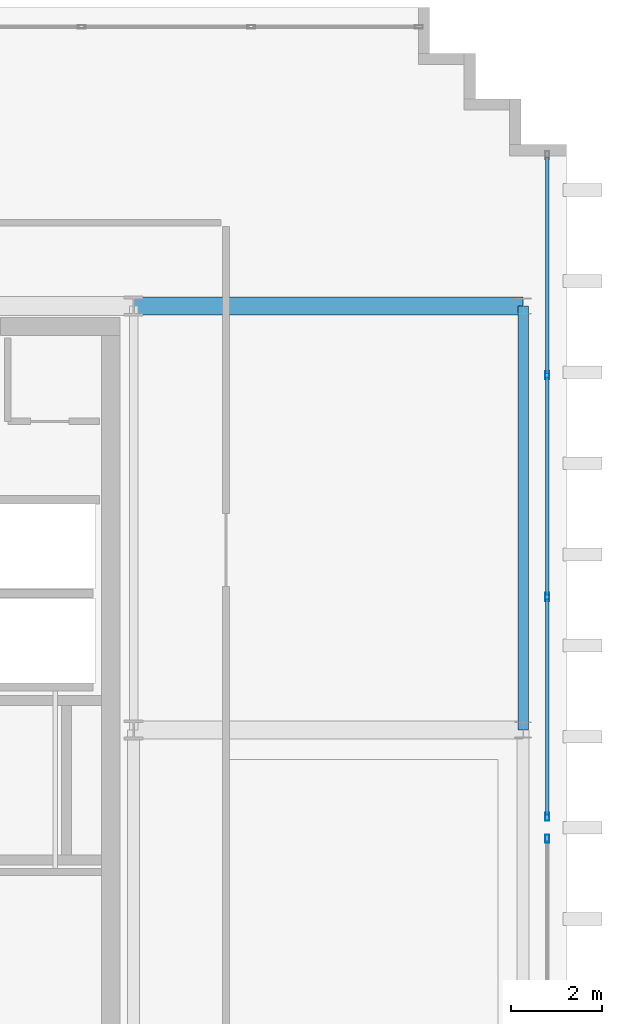
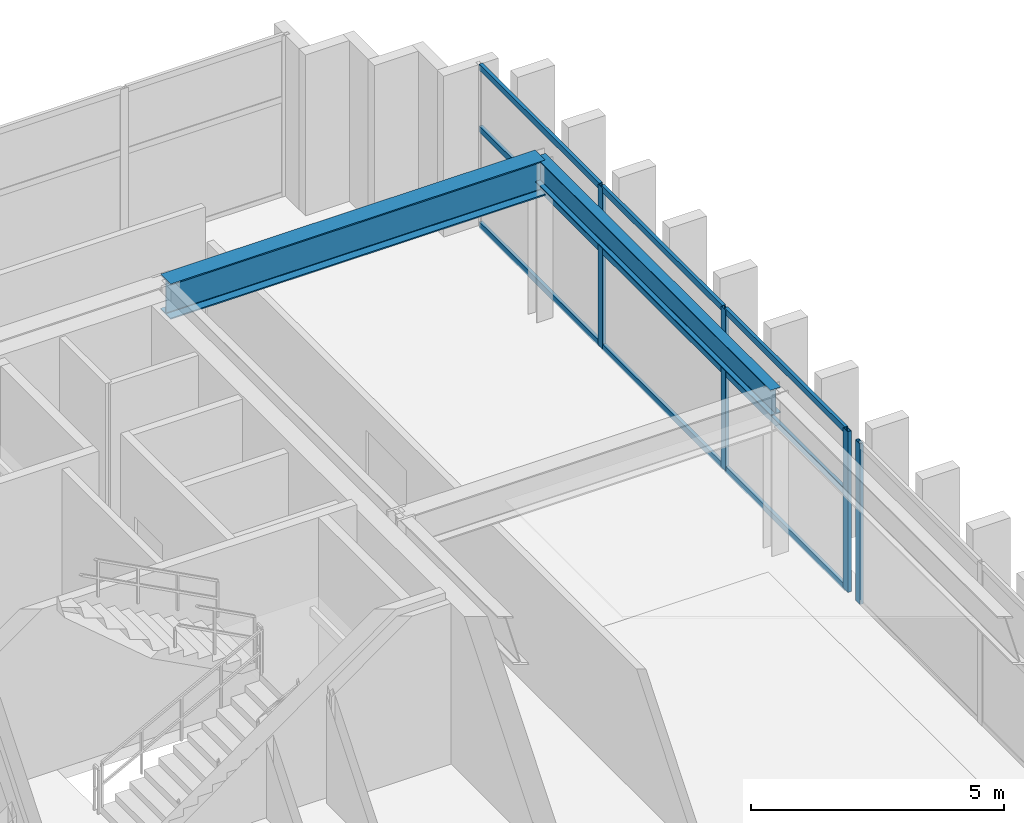
# One storey, part 7 of 15: 13 members, 2 beams, 2 elements without a shape of their own.
"""IFC4 building model written with IfcOpenShell, lengths in metres."""

from ifc_helpers import new_model, si_unit, direction, frame, origin, origin_2d, place, context, subcontext, project, spatial, hollow_rectangle, i_section, extrude, source, transform, mapped, material, layer, layer_set, material_profile, profile_set, type_object, element, aggregate, save


model = new_model("IFC4")

# Units and contexts
model_context = context("Model", 3, precision=1e-05, world=origin(), true_north=direction((0.0, 1.0)))
body_context = subcontext(model_context, "Body", "Model", "MODEL_VIEW")
ifc_project = project(units=[si_unit("LENGTHUNIT", "METRE"), si_unit("AREAUNIT", "SQUARE_METRE"), si_unit("VOLUMEUNIT", "CUBIC_METRE"), si_unit("PLANEANGLEUNIT", "RADIAN"), si_unit("MASSUNIT", "GRAM", prefix="KILO")], contexts=[model_context])

# Site, building, storey
site_placement = place(None, origin())
site = spatial("IfcSite", under=ifc_project, at=site_placement, CompositionType="ELEMENT")
building_placement = place(site_placement, origin())
building = spatial("IfcBuilding", under=site, at=building_placement, Name="Ocotamira Hotel", CompositionType="ELEMENT")
storey_placement = place(building_placement, frame((0.0, 0.0, 305.39990234375)))
storey = spatial("IfcBuildingStorey", under=building, at=storey_placement, Name="L78", CompositionType="ELEMENT", Elevation=305.39990234375)

# Beams
ifc_material_1 = material(Name="Steel ASTM A992 Grade 50", Category="steel")
ifc_material_profile_1 = material_profile(ifc_material_1, i_section(OverallWidth=0.22998046875, OverallDepth=0.616943359375, WebThickness=0.01318359375, FlangeThickness=0.022216796875, FilletRadius=0.012939453125, at=origin_2d()), Name="W24X94")
ifc_profile_set_1 = profile_set([ifc_material_profile_1], Name="Steel ASTM A992 Grade 50")
beam_type_1 = type_object("IfcBeamType", Name="BM-PRIM-W24X94", PredefinedType="BEAM", material=ifc_profile_set_1)
shared_shape_1 = source(origin(), body_context, "Body", "SweptSolid", [
    extrude(i_section(OverallWidth=0.22998046875, OverallDepth=0.616943359375, WebThickness=0.01318359375, FlangeThickness=0.022216796875, FilletRadius=0.012939453125, at=origin_2d()), origin(), (0.0, 0.0, 1.0), 9.300048828125),
])
beam_1_placement = place(storey_placement, frame((32.050048828125, 28.14990234375, 3.571533203125), z_axis=(0.0, 1.0, 0.0), x_axis=(-1.0, 0.0, 0.0)))
element("IfcBeam", 1, at=beam_1_placement, inside=storey, type_object=beam_type_1, Name="L78 Beam X32.05 Y28.15-37.45", PredefinedType="BEAM", context=body_context, shape_type="MappedRepresentation", body=[
    mapped(shared_shape_1, transform((0.0, 0.0, 0.0), scale=1.0)),
])
ifc_material_profile_2 = material_profile(ifc_material_1, i_section(OverallWidth=0.39990234375, OverallDepth=0.85595703125, WebThickness=0.018310546875, FlangeThickness=0.029296875, FilletRadius=0.02001953125, at=origin_2d()), Name="W33X201")
ifc_profile_set_2 = profile_set([ifc_material_profile_2], Name="Steel ASTM A992 Grade 50")
beam_type_2 = type_object("IfcBeamType", Name="BM-GIRD-W33X201", PredefinedType="BEAM", material=ifc_profile_set_2)
shared_shape_2 = source(origin(), body_context, "Body", "SweptSolid", [
    extrude(i_section(OverallWidth=0.39990234375, OverallDepth=0.85595703125, WebThickness=0.018310546875, FlangeThickness=0.029296875, FilletRadius=0.02001953125, at=origin_2d()), origin(), (0.0, 0.0, 1.0), 8.550048828125),
])
beam_2_placement = place(storey_placement, frame((23.5, 37.449951171875, 3.4521484375), z_axis=(1.0, 0.0, 0.0), x_axis=(0.0, 1.0, 0.0)))
element("IfcBeam", 2, at=beam_2_placement, inside=storey, type_object=beam_type_2, Name="L78 Girder Y37.45 X23.5-32.05", PredefinedType="BEAM", context=body_context, shape_type="MappedRepresentation", body=[
    mapped(shared_shape_2, transform((0.0, 0.0, 0.0), scale=1.0)),
])

# Curtain wall, members
ifc_material_2 = material(Name="Anodised pale-metal aluminium and solar glass", Category="aluminium")
ifc_layer = layer(ifc_material_2, 0.2099609375)
ifc_layer_set = layer_set([ifc_layer], Name="Anodised pale-metal aluminium and solar glass")
curtain_wall_type = type_object("IfcCurtainWallType", Name="CW-SYS7-PEAK", PredefinedType="NOTDEFINED", material=ifc_layer_set)
curtain_wall_1_placement = place(storey_placement, origin())
curtain_wall_1 = element("IfcCurtainWall", 3, at=curtain_wall_1_placement, inside=storey, type_object=curtain_wall_type, Name="L78 Curtain Wall CW-7 CW-L78-E2", PredefinedType="NOTDEFINED")
ifc_material_3 = material(Name="Anodised pale-metal aluminium 6063-T6", Category="aluminium")
ifc_material_profile_3 = material_profile(ifc_material_3, hollow_rectangle(XDim=0.074951171875, YDim=0.14990234375, WallThickness=0.006103515625, at=origin_2d()), Name="HSS150X75X6")
ifc_profile_set_3 = profile_set([ifc_material_profile_3], Name="Anodised pale-metal aluminium 6063-T6")
member_type_1 = type_object("IfcMemberType", Name="CWT-150X75", PredefinedType="USERDEFINED", material=ifc_profile_set_3)
shared_shape_3 = source(origin(), body_context, "Body", "SweptSolid", [
    extrude(hollow_rectangle(XDim=0.074951171875, YDim=0.14990234375, WallThickness=0.006103515625, at=origin_2d()), origin(), (0.0, 0.0, 1.0), 4.74658203125),
])
member_1_placement = place(storey_placement, frame((32.580078125, 26.280029296875, 0.03759765625), z_axis=(0.0, 1.0, 0.0), x_axis=(-1.0, 0.0, 0.0)))
member_1 = element("IfcMember", 4, at=member_1_placement, type_object=member_type_1, Name="CW-7 transom 1.1", ObjectType="TRANSOM", PredefinedType="USERDEFINED", context=body_context, shape_type="MappedRepresentation", body=[
    mapped(shared_shape_3, transform((0.0, 0.0, 0.0), scale=1.0)),
])
member_2_placement = place(storey_placement, frame((32.580078125, 26.280029296875, 2.35009765625), z_axis=(0.0, 1.0, 0.0), x_axis=(-1.0, 0.0, 0.0)))
member_2 = element("IfcMember", 5, at=member_2_placement, type_object=member_type_1, Name="CW-7 transom 1.2", ObjectType="TRANSOM", PredefinedType="USERDEFINED", context=body_context, shape_type="MappedRepresentation", body=[
    mapped(shared_shape_3, transform((0.0, 0.0, 0.0), scale=1.0)),
])
member_3_placement = place(storey_placement, frame((32.580078125, 26.280029296875, 3.842529296875), z_axis=(0.0, 1.0, 0.0), x_axis=(-1.0, 0.0, 0.0)))
member_3 = element("IfcMember", 6, at=member_3_placement, type_object=member_type_1, Name="CW-7 transom 1.3", ObjectType="TRANSOM", PredefinedType="USERDEFINED", context=body_context, shape_type="MappedRepresentation", body=[
    mapped(shared_shape_3, transform((0.0, 0.0, 0.0), scale=1.0)),
])
member_4_placement = place(storey_placement, frame((32.580078125, 35.973388671875, 0.03759765625), z_axis=(0.0, 1.0, 0.0), x_axis=(-1.0, 0.0, 0.0)))
member_4 = element("IfcMember", 7, at=member_4_placement, type_object=member_type_1, Name="CW-7 transom 3.1", ObjectType="TRANSOM", PredefinedType="USERDEFINED", context=body_context, shape_type="MappedRepresentation", body=[
    mapped(shared_shape_3, transform((0.0, 0.0, 0.0), scale=1.0)),
])
member_5_placement = place(storey_placement, frame((32.580078125, 35.973388671875, 2.35009765625), z_axis=(0.0, 1.0, 0.0), x_axis=(-1.0, 0.0, 0.0)))
member_5 = element("IfcMember", 8, at=member_5_placement, type_object=member_type_1, Name="CW-7 transom 3.2", ObjectType="TRANSOM", PredefinedType="USERDEFINED", context=body_context, shape_type="MappedRepresentation", body=[
    mapped(shared_shape_3, transform((0.0, 0.0, 0.0), scale=1.0)),
])
member_6_placement = place(storey_placement, frame((32.580078125, 35.973388671875, 3.842529296875), z_axis=(0.0, 1.0, 0.0), x_axis=(-1.0, 0.0, 0.0)))
member_6 = element("IfcMember", 9, at=member_6_placement, type_object=member_type_1, Name="CW-7 transom 3.3", ObjectType="TRANSOM", PredefinedType="USERDEFINED", context=body_context, shape_type="MappedRepresentation", body=[
    mapped(shared_shape_3, transform((0.0, 0.0, 0.0), scale=1.0)),
])
shared_shape_4 = source(origin(), body_context, "Body", "SweptSolid", [
    extrude(hollow_rectangle(XDim=0.074951171875, YDim=0.14990234375, WallThickness=0.006103515625, at=origin_2d()), origin(), (0.0, 0.0, 1.0), 4.78662109375),
])
member_7_placement = place(storey_placement, frame((32.580078125, 31.106689453125, 0.03759765625), z_axis=(0.0, 1.0, 0.0), x_axis=(-1.0, 0.0, 0.0)))
member_7 = element("IfcMember", 10, at=member_7_placement, type_object=member_type_1, Name="CW-7 transom 2.1", ObjectType="TRANSOM", PredefinedType="USERDEFINED", context=body_context, shape_type="MappedRepresentation", body=[
    mapped(shared_shape_4, transform((0.0, 0.0, 0.0), scale=1.0)),
])
member_8_placement = place(storey_placement, frame((32.580078125, 31.106689453125, 2.35009765625), z_axis=(0.0, 1.0, 0.0), x_axis=(-1.0, 0.0, 0.0)))
member_8 = element("IfcMember", 11, at=member_8_placement, type_object=member_type_1, Name="CW-7 transom 2.2", ObjectType="TRANSOM", PredefinedType="USERDEFINED", context=body_context, shape_type="MappedRepresentation", body=[
    mapped(shared_shape_4, transform((0.0, 0.0, 0.0), scale=1.0)),
])
member_9_placement = place(storey_placement, frame((32.580078125, 31.106689453125, 3.842529296875), z_axis=(0.0, 1.0, 0.0), x_axis=(-1.0, 0.0, 0.0)))
member_9 = element("IfcMember", 12, at=member_9_placement, type_object=member_type_1, Name="CW-7 transom 2.3", ObjectType="TRANSOM", PredefinedType="USERDEFINED", context=body_context, shape_type="MappedRepresentation", body=[
    mapped(shared_shape_4, transform((0.0, 0.0, 0.0), scale=1.0)),
])

# Curtain wall, member
curtain_wall_2_placement = place(storey_placement, origin())
curtain_wall_2 = element("IfcCurtainWall", 13, at=curtain_wall_2_placement, inside=storey, type_object=curtain_wall_type, Name="L78 Curtain Wall CW-7 CW-L78-E1", PredefinedType="NOTDEFINED")
ifc_material_profile_4 = material_profile(ifc_material_3, hollow_rectangle(XDim=0.080078125, YDim=0.179931640625, WallThickness=0.006103515625, at=origin_2d()), Name="HSS180X80X6")
ifc_profile_set_4 = profile_set([ifc_material_profile_4], Name="Anodised pale-metal aluminium 6063-T6")
member_type_2 = type_object("IfcMemberType", Name="CWM-180X75", PredefinedType="MULLION", material=ifc_profile_set_4)
shared_shape_5 = source(origin(), body_context, "Body", "SweptSolid", [
    extrude(hollow_rectangle(XDim=0.080078125, YDim=0.179931640625, WallThickness=0.006103515625, at=origin_2d()), origin(), (0.0, 0.0, 1.0), 3.880126953125),
])
member_10_placement = place(storey_placement, frame((32.580078125, 25.760009765625, 0.0), z_axis=(0.0, 0.0, 1.0), x_axis=(-1.0, 0.0, 0.0)))
member_10 = element("IfcMember", 14, at=member_10_placement, type_object=member_type_2, Name="CW-7 mullion 4", PredefinedType="MULLION", context=body_context, shape_type="MappedRepresentation", body=[
    mapped(shared_shape_5, transform((0.0, 0.0, 0.0), scale=1.0)),
])
aggregate(curtain_wall_2, [member_10])

# Member
member_11_placement = place(storey_placement, frame((32.580078125, 26.239990234375, 0.0), z_axis=(0.0, 0.0, 1.0), x_axis=(-1.0, 0.0, 0.0)))
member_11 = element("IfcMember", 15, at=member_11_placement, type_object=member_type_2, Name="CW-7 mullion 1", PredefinedType="MULLION", context=body_context, shape_type="MappedRepresentation", body=[
    mapped(shared_shape_5, transform((0.0, 0.0, 0.0), scale=1.0)),
])

member_12_placement = place(storey_placement, frame((32.580078125, 31.066650390625, 0.0), z_axis=(0.0, 0.0, 1.0), x_axis=(-1.0, 0.0, 0.0)))
member_12 = element("IfcMember", 16, at=member_12_placement, type_object=member_type_2, Name="CW-7 mullion 2", PredefinedType="MULLION", context=body_context, shape_type="MappedRepresentation", body=[
    mapped(shared_shape_5, transform((0.0, 0.0, 0.0), scale=1.0)),
])

member_13_placement = place(storey_placement, frame((32.580078125, 35.933349609375, 0.0), z_axis=(0.0, 0.0, 1.0), x_axis=(-1.0, 0.0, 0.0)))
member_13 = element("IfcMember", 17, at=member_13_placement, type_object=member_type_2, Name="CW-7 mullion 3", PredefinedType="MULLION", context=body_context, shape_type="MappedRepresentation", body=[
    mapped(shared_shape_5, transform((0.0, 0.0, 0.0), scale=1.0)),
])

aggregate(curtain_wall_1, [member_11, member_12, member_13, member_1, member_2, member_3, member_7, member_8, member_9, member_4, member_5, member_6])

save(model, "model.ifc")
